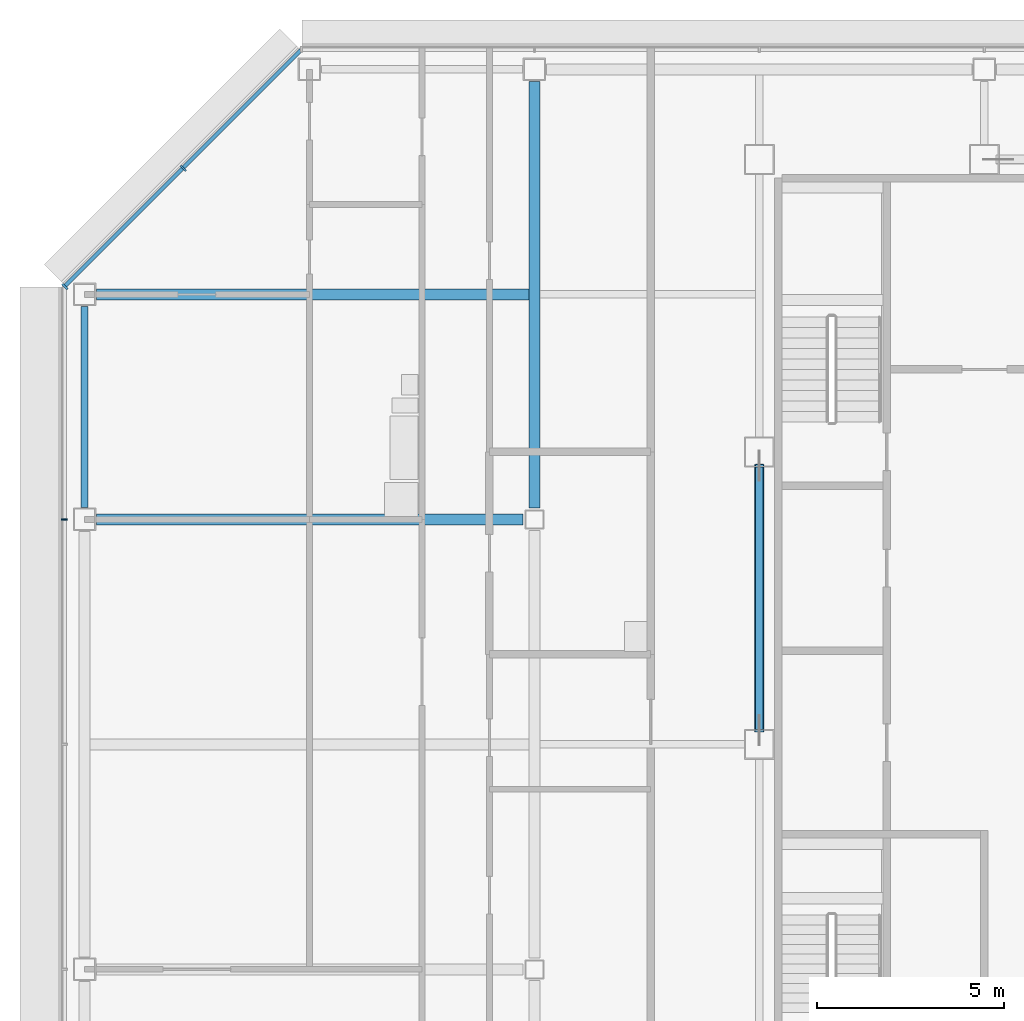
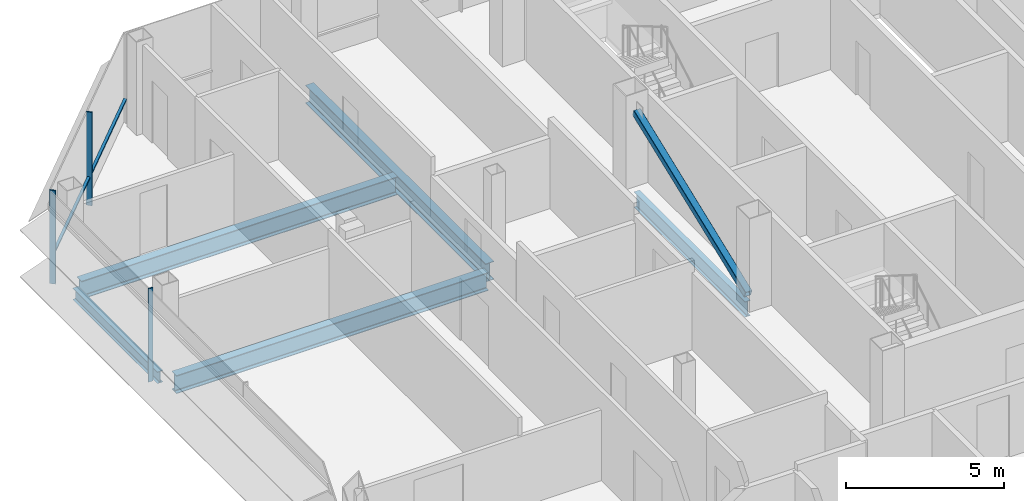
# One storey, part 12 of 27: 5 beams, 5 members, 2 elements without a shape of their own.
"""IFC4 building model written with IfcOpenShell, lengths in metres."""

import ifcopenshell
import ifcopenshell.guid

model = None  # the IFC model being written
_history = None  # IfcOwnerHistory: only IFC2X3 demands one
_inside = {}  # id of a spatial element -> (the spatial element, [elements in it])
_under = {}  # id of a project, library or spatial element -> (it, [spatial elements below it])
_declared = {}  # id of a project -> (the project, [libraries it declares])
_typed = {}  # id of a type object -> (the type object, [elements of that type])
_made_of = {}  # id of a material, layer set ... -> (it, [elements and type objects made of it])


def new_model(schema):
    """Start an empty IFC model of exactly this schema.

    Asked for "IFC4X3", IfcOpenShell would pick the latest addendum, in which some entities
    have other attributes; the version numbers below select the first issue.
    IFC2X3 requires an IfcOwnerHistory on every rooted entity: one is made here for all.
    """
    global model, _history
    if schema == "IFC4X3":
        model = ifcopenshell.file(schema_version=(4, 3, 0, 0))
    else:
        model = ifcopenshell.file(schema=schema)
    _inside.clear()
    _under.clear()
    _declared.clear()
    _typed.clear()
    _made_of.clear()
    _history = None
    if model.schema == "IFC2X3":
        org = make("IfcOrganization", Name="unknown")
        user = make(
            "IfcPersonAndOrganization",
            ThePerson=make("IfcPerson", FamilyName="unknown"),
            TheOrganization=org,
        )
        app = make(
            "IfcApplication",
            ApplicationDeveloper=org,
            Version="unknown",
            ApplicationFullName="unknown",
            ApplicationIdentifier="unknown",
        )
        _history = make(
            "IfcOwnerHistory",
            OwningUser=user,
            OwningApplication=app,
            ChangeAction="ADDED",
            CreationDate=0,
        )
    return model


def make(cls, **values):
    """One entity of the class cls with the attributes given. An attribute that is None is left unset."""
    return model.create_entity(
        cls, **{name: value for name, value in values.items() if value is not None}
    )


def rooted(cls, **values):
    """An entity with a GlobalId (a new one), such as an element, a storey or a relation."""
    return make(cls, GlobalId=ifcopenshell.guid.new(), OwnerHistory=_history, **values)


def si_unit(unit_type, name, prefix=None):
    """IfcSIUnit, for example si_unit("LENGTHUNIT", "METRE", prefix="MILLI")."""
    return make("IfcSIUnit", UnitType=unit_type, Prefix=prefix, Name=name)


def assignment(units):
    """IfcUnitAssignment: the units of a project."""
    return None if units is None else make("IfcUnitAssignment", Units=units)


def point(xyz):
    """IfcCartesianPoint."""
    return None if xyz is None else make("IfcCartesianPoint", Coordinates=xyz)


def direction(xyz):
    """IfcDirection."""
    return None if xyz is None else make("IfcDirection", DirectionRatios=xyz)


def frame(location, z_axis=None, x_axis=None):
    """IfcAxis2Placement3D, a coordinate frame: its origin and axes. An axis left out is left unset."""
    return make(
        "IfcAxis2Placement3D",
        Location=point(location),
        Axis=direction(z_axis),
        RefDirection=direction(x_axis),
    )


def frame_2d(location, x_axis=None):
    """IfcAxis2Placement2D, a coordinate frame in the plane: its origin and x axis."""
    return make(
        "IfcAxis2Placement2D", Location=point(location), RefDirection=direction(x_axis)
    )


def origin():
    """The frame at (0, 0, 0) with its axes left unset."""
    return frame((0.0, 0.0, 0.0))


def origin_2d():
    """The frame at (0, 0) in the plane with its x axis left unset."""
    return frame_2d((0.0, 0.0))


def place(relative_to, where):
    """IfcLocalPlacement: puts the frame where relative to a parent placement (None: the world)."""
    return make(
        "IfcLocalPlacement", PlacementRelTo=relative_to, RelativePlacement=where
    )


def context(
    kind, dimensions, precision=None, world=None, true_north=None, identifier=None
):
    """IfcGeometricRepresentationContext, for example the 3D "Model" context."""
    return make(
        "IfcGeometricRepresentationContext",
        ContextIdentifier=identifier,
        ContextType=kind,
        CoordinateSpaceDimension=dimensions,
        Precision=precision,
        WorldCoordinateSystem=world,
        TrueNorth=true_north,
    )


def subcontext(parent, identifier, kind, view, scale=None):
    """IfcGeometricRepresentationSubContext, for example "Body" below "Model"."""
    return make(
        "IfcGeometricRepresentationSubContext",
        ContextIdentifier=identifier,
        ContextType=kind,
        ParentContext=parent,
        TargetScale=scale,
        TargetView=view,
    )


def project(units=None, contexts=None):
    """IfcProject with its units and contexts."""
    return rooted(
        "IfcProject",
        Name="project",
        RepresentationContexts=contexts,
        UnitsInContext=assignment(units),
    )


def spatial(cls, under=None, at=None, **own):
    """A site, building, storey or space (cls), placed at a placement, below another one or the project."""
    s = rooted(cls, ObjectPlacement=at, **own)
    if under is not None:
        _under.setdefault(under.id(), (under, []))[1].append(s)
    return s


def profile(cls, at=None, kind="AREA", **sizes):
    """A parametric profile (cls). Its sizes go by their IFC names, for example OverallWidth=200.0."""
    return make(cls, ProfileType=kind, Position=at, **sizes)


def rectangle(**sizes):
    """IfcRectangleProfileDef."""
    return profile("IfcRectangleProfileDef", **sizes)


def hollow_rectangle(**sizes):
    """IfcRectangleHollowProfileDef."""
    return profile("IfcRectangleHollowProfileDef", **sizes)


def i_section(**sizes):
    """IfcIShapeProfileDef."""
    return profile("IfcIShapeProfileDef", **sizes)


def extrude(swept, where, along, depth):
    """IfcExtrudedAreaSolid: the profile swept, set in the frame where, extruded along a direction by depth."""
    return make(
        "IfcExtrudedAreaSolid",
        SweptArea=swept,
        Position=where,
        ExtrudedDirection=direction(along),
        Depth=depth,
    )


def shape(context_of_items, identifier, shape_type, items):
    """IfcShapeRepresentation: the items that make up one representation, for example the "Body"."""
    return make(
        "IfcShapeRepresentation",
        ContextOfItems=context_of_items,
        RepresentationIdentifier=identifier,
        RepresentationType=shape_type,
        Items=items,
    )


def material(Name=None, Category=None):
    """IfcMaterial."""
    return make("IfcMaterial", Name=Name, Category=Category)


def material_profile(
    of_material, cross_section, Name=None, Category=None, Priority=None
):
    """IfcMaterialProfile: a cross section and its material."""
    return make(
        "IfcMaterialProfile",
        Name=Name,
        Material=of_material,
        Profile=cross_section,
        Priority=Priority,
        Category=Category,
    )


def profile_set(profiles, Name=None, composite=None):
    """IfcMaterialProfileSet."""
    return make(
        "IfcMaterialProfileSet",
        Name=Name,
        MaterialProfiles=profiles,
        CompositeProfile=composite,
    )


def made_of(thing, what):
    """Note that an element or type object is made of a material, layer set ...; save() writes the relation."""
    if what is not None:
        _made_of.setdefault(what.id(), (what, []))[1].append(thing)
    return thing


def type_object(cls, material=None, **own):
    """A type object (cls), such as IfcWallType, which elements share."""
    return made_of(rooted(cls, **own), material)


def element(
    cls,
    number,
    at=None,
    inside=None,
    cuts=None,
    type_object=None,
    material=None,
    context=None,
    identifier="Body",
    shape_type=None,
    held_by="IfcProductDefinitionShape",
    body=None,
    shapes=None,
    **own,
):
    """One element of the class cls, such as IfcWall. Its Tag is "e" and its number.

    at: its placement. inside: the storey or other place that contains it. cuts: it is an
    opening in that element (IfcRelVoidsElement). A single representation is given by context,
    identifier, shape_type and body (its items); several are given by shapes. held_by: the class
    of the entity that holds the representations. save() writes the other relations.
    """
    e = rooted(cls, Tag="e%d" % number, ObjectPlacement=at, **own)
    if body is not None:
        shapes = [shape(context, identifier, shape_type, body)]
    if shapes is not None:
        e.Representation = make(held_by, Representations=shapes)
    if inside is not None:
        _inside.setdefault(inside.id(), (inside, []))[1].append(e)
    if cuts is not None:
        rooted(
            "IfcRelVoidsElement", RelatingBuildingElement=cuts, RelatedOpeningElement=e
        )
    if type_object is not None:
        _typed.setdefault(type_object.id(), (type_object, []))[1].append(e)
    return made_of(e, material)


def aggregate(whole, parts):
    """IfcRelAggregates: a whole, such as a stair, and the parts it consists of."""
    return rooted("IfcRelAggregates", RelatingObject=whole, RelatedObjects=parts)


def save(model, path):
    """Write the relations noted so far, then the file.

    IfcRelAggregates (storeys below a building ...), IfcRelContainedInSpatialStructure (elements
    in a storey), IfcRelDefinesByType, IfcRelAssociatesMaterial and IfcRelDeclares: one each for
    every whole, place, type object, material and project.
    """
    for whole, parts in _under.values():
        aggregate(whole, parts)
    for where, things in _inside.values():
        rooted(
            "IfcRelContainedInSpatialStructure",
            RelatedElements=things,
            RelatingStructure=where,
        )
    for kind, things in _typed.values():
        rooted("IfcRelDefinesByType", RelatedObjects=things, RelatingType=kind)
    for what, things in _made_of.values():
        rooted("IfcRelAssociatesMaterial", RelatedObjects=things, RelatingMaterial=what)
    for by, libraries in _declared.values():
        rooted("IfcRelDeclares", RelatingContext=by, RelatedDefinitions=libraries)
    model.write(path)


model = new_model("IFC4")

# Units and contexts
model_context = context("Model", 3, precision=1e-05, world=origin(), true_north=direction((0.0, 1.0)))
body_context = subcontext(model_context, "Body", "Model", "MODEL_VIEW")
ifc_project = project(units=[si_unit("LENGTHUNIT", "METRE"), si_unit("AREAUNIT", "SQUARE_METRE"), si_unit("VOLUMEUNIT", "CUBIC_METRE"), si_unit("PLANEANGLEUNIT", "RADIAN"), si_unit("MASSUNIT", "GRAM", prefix="KILO")], contexts=[model_context])

# Site, building, storey
site_placement = place(None, origin())
site = spatial("IfcSite", under=ifc_project, at=site_placement, CompositionType="ELEMENT")
building_placement = place(site_placement, origin())
building = spatial("IfcBuilding", under=site, at=building_placement, Name="Sorahane Residences", CompositionType="ELEMENT")
storey_placement = place(building_placement, frame((0.0, 0.0, 246.800048828125)))
storey = spatial("IfcBuildingStorey", under=building, at=storey_placement, Name="L58", CompositionType="ELEMENT", Elevation=246.800048828125)

# Member
ifc_material_1 = material(Name="Steel Q355B", Category="steel")
ifc_material_profile_1 = material_profile(ifc_material_1, hollow_rectangle(XDim=0.25, YDim=0.25, WallThickness=0.013916015625, InnerFilletRadius=0.007080078125, OuterFilletRadius=0.02099609375, at=origin_2d()), Name="RHS 250x250x14")
ifc_profile_set_1 = profile_set([ifc_material_profile_1], Name="Steel Q355B")
member_type_1 = type_object("IfcMemberType", Name="Core brace RHS 250x250x14 Q355B", PredefinedType="BRACE", material=ifc_profile_set_1)
member_1_placement = place(storey_placement, frame((6.0, 30.372802734375, 0.114501953125), z_axis=(0.0, 0.932112994653, 0.362167592697), x_axis=(-1.0, 0.0, 0.0)))
element("IfcMember", 1, at=member_1_placement, inside=storey, type_object=member_type_1, Name="Core brace L58 x6-2", PredefinedType="BRACE", context=body_context, shape_type="SweptSolid", body=[
    extrude(hollow_rectangle(XDim=0.25, YDim=0.25, WallThickness=0.013916015625, InnerFilletRadius=0.007080078125, OuterFilletRadius=0.02099609375, at=origin_2d()), origin(), (0.0, 0.0, 1.0), 7.568115234375),
])

# Curtain wall, member
ifc_material_2 = material(Name="Dark low-e glass and black anodised aluminium", Category="aluminium")
curtain_wall_type_1 = type_object("IfcCurtainWallType", Name="Curtain wall CW-1 Typical unitised wall", PredefinedType="NOTDEFINED", material=ifc_material_2)
curtain_wall_1_placement = place(storey_placement, origin())
curtain_wall_1 = element("IfcCurtainWall", 2, at=curtain_wall_1_placement, inside=storey, type_object=curtain_wall_type_1, Name="CW-1 curtain wall L58 W1", PredefinedType="NOTDEFINED")
ifc_material_3 = material(Name="Black anodised aluminium", Category="aluminium")
ifc_material_profile_2 = material_profile(ifc_material_3, rectangle(XDim=0.159912109375, YDim=0.050048828125, at=origin_2d()), Name="Curtain wall mullion CW-1 black anodised aluminium 50x160")
ifc_profile_set_2 = profile_set([ifc_material_profile_2], Name="Black anodised aluminium")
member_type_2 = type_object("IfcMemberType", Name="Curtain wall mullion CW-1 black anodised aluminium 50x160", PredefinedType="MULLION", material=ifc_profile_set_2)
member_2_placement = place(storey_placement, frame((-12.5400390625, 36.0, -0.179931640625), z_axis=(0.0, 0.0, 1.0), x_axis=(-1.0, 0.0, 0.0)))
member_2 = element("IfcMember", 3, at=member_2_placement, type_object=member_type_2, Name="CW-1 mullion L58 W1.2", PredefinedType="MULLION", context=body_context, shape_type="SweptSolid", body=[
    extrude(rectangle(XDim=0.159912109375, YDim=0.050048828125, at=origin_2d()), origin(), (0.0, 0.0, 1.0), 3.599853515625),
])
aggregate(curtain_wall_1, [member_2])

# Curtain wall, members
ifc_material_4 = material(Name="Dark low-e glass and black anodised aluminium", Category="aluminium")
curtain_wall_type_2 = type_object("IfcCurtainWallType", Name="Curtain wall CW-2 Chamfer unitised wall", PredefinedType="NOTDEFINED", material=ifc_material_4)
curtain_wall_2_placement = place(storey_placement, origin())
curtain_wall_2 = element("IfcCurtainWall", 4, at=curtain_wall_2_placement, inside=storey, type_object=curtain_wall_type_2, Name="CW-2 curtain wall L58 NW1", PredefinedType="NOTDEFINED")
ifc_material_5 = material(Name="Black anodised aluminium", Category="aluminium")
ifc_material_profile_3 = material_profile(ifc_material_5, rectangle(XDim=0.199951171875, YDim=0.050048828125, at=origin_2d()), Name="Curtain wall mullion CW-2 black anodised aluminium 50x200")
ifc_profile_set_3 = profile_set([ifc_material_profile_3], Name="Black anodised aluminium")
member_type_3 = type_object("IfcMemberType", Name="Curtain wall mullion CW-2 black anodised aluminium 50x200", PredefinedType="MULLION", material=ifc_profile_set_3)
member_3_placement = place(storey_placement, frame((-9.36767578125, 45.36767578125, -0.179931640625), z_axis=(0.0, 0.0, 1.0), x_axis=(-0.707106781187, 0.707106781187, 0.0)))
member_3 = element("IfcMember", 5, at=member_3_placement, type_object=member_type_3, Name="CW-2 mullion L58 NW1.2", PredefinedType="MULLION", context=body_context, shape_type="SweptSolid", body=[
    extrude(rectangle(XDim=0.199951171875, YDim=0.050048828125, at=origin_2d()), origin(), (0.0, 0.0, 1.0), 3.599853515625),
])
member_4_placement = place(storey_placement, frame((-12.525634765625, 42.209716796875, -0.179931640625), z_axis=(0.0, 0.0, 1.0), x_axis=(-0.707106781187, 0.707106781187, 0.0)))
member_4 = element("IfcMember", 6, at=member_4_placement, type_object=member_type_3, Name="CW-2 mullion L58 NW1.3", PredefinedType="MULLION", context=body_context, shape_type="SweptSolid", body=[
    extrude(rectangle(XDim=0.199951171875, YDim=0.050048828125, at=origin_2d()), origin(), (0.0, 0.0, 1.0), 3.599853515625),
])
ifc_material_6 = material(Name="Black anodised aluminium", Category="aluminium")
ifc_material_profile_4 = material_profile(ifc_material_6, rectangle(XDim=0.10009765625, YDim=0.06005859375, at=origin_2d()), Name="Curtain wall transom CW-2 black anodised aluminium 60x100")
ifc_profile_set_4 = profile_set([ifc_material_profile_4], Name="Black anodised aluminium")
member_type_4 = type_object("IfcMemberType", Name="Curtain wall transom CW-2 black anodised aluminium 60x100", PredefinedType="USERDEFINED", material=ifc_profile_set_4)
member_5_placement = place(storey_placement, frame((-6.234375, 48.51513671875, 0.89990234375), z_axis=(-0.707106781187, -0.707106781187, 0.0), x_axis=(0.707106781187, -0.707106781187, 0.0)))
member_5 = element("IfcMember", 7, at=member_5_placement, type_object=member_type_4, Name="CW-2 transom L58 NW1", ObjectType="TRANSOM", PredefinedType="USERDEFINED", context=body_context, shape_type="SweptSolid", body=[
    extrude(rectangle(XDim=0.10009765625, YDim=0.06005859375, at=origin_2d()), origin(), (0.0, 0.0, 1.0), 8.88232421875),
])
aggregate(curtain_wall_2, [member_3, member_4, member_5])

# Beams
ifc_material_7 = material(Name="Steel Q355B", Category="steel")
ifc_material_profile_5 = material_profile(ifc_material_7, i_section(OverallWidth=0.199951171875, OverallDepth=0.449951171875, WebThickness=0.009033203125, FlangeThickness=0.013916015625, FilletRadius=0.02001953125, at=origin_2d()), Name="HN 450x200x9x14")
ifc_profile_set_5 = profile_set([ifc_material_profile_5], Name="Steel Q355B")
beam_type_1 = type_object("IfcBeamType", Name="Steel floor beam HN 450x200x9x14 Q355B", PredefinedType="BEAM", material=ifc_profile_set_5)
beam_1_placement = place(storey_placement, frame((-12.0, 36.324951171875, -0.405029296875), z_axis=(0.0, 1.0, 0.0), x_axis=(-1.0, 0.0, 0.0)))
element("IfcBeam", 8, at=beam_1_placement, inside=storey, type_object=beam_type_1, Name="Beam L58 023", PredefinedType="BEAM", context=body_context, shape_type="SweptSolid", body=[
    extrude(i_section(OverallWidth=0.199951171875, OverallDepth=0.449951171875, WebThickness=0.009033203125, FlangeThickness=0.013916015625, FilletRadius=0.02001953125, at=origin_2d()), origin(), (0.0, 0.0, 1.0), 5.35009765625),
])
ifc_material_8 = material(Name="Steel Q355B", Category="steel")
ifc_material_profile_6 = material_profile(ifc_material_8, i_section(OverallWidth=0.199951171875, OverallDepth=0.60009765625, WebThickness=0.010986328125, FlangeThickness=0.01708984375, FilletRadius=0.02392578125, at=origin_2d()), Name="HN 600x200x11x17")
ifc_profile_set_6 = profile_set([ifc_material_profile_6], Name="Steel Q355B")
beam_type_2 = type_object("IfcBeamType", Name="Steel floor beam HN 600x200x11x17 Q355B", PredefinedType="BEAM", material=ifc_profile_set_6)
beam_2_placement = place(storey_placement, frame((6.0, 30.39990234375, -0.47998046875), z_axis=(0.0, 1.0, 0.0), x_axis=(-1.0, 0.0, 0.0)))
element("IfcBeam", 9, at=beam_2_placement, inside=storey, type_object=beam_type_2, Name="Beam L58 031", PredefinedType="BEAM", context=body_context, shape_type="SweptSolid", body=[
    extrude(i_section(OverallWidth=0.199951171875, OverallDepth=0.60009765625, WebThickness=0.010986328125, FlangeThickness=0.01708984375, FilletRadius=0.02392578125, at=origin_2d()), origin(), (0.0, 0.0, 1.0), 7.0),
])
ifc_material_9 = material(Name="Steel Q355B", Category="steel")
ifc_material_profile_7 = material_profile(ifc_material_9, i_section(OverallWidth=0.300048828125, OverallDepth=0.699951171875, WebThickness=0.012939453125, FlangeThickness=0.02392578125, FilletRadius=0.028076171875, at=origin_2d()), Name="HN 700x300x13x24")
ifc_profile_set_7 = profile_set([ifc_material_profile_7], Name="Steel Q355B")
beam_type_3 = type_object("IfcBeamType", Name="Steel floor beam HN 700x300x13x24 Q355B", PredefinedType="BEAM", material=ifc_profile_set_7)
for number, where, z_axis, x_axis, name in (
    (10, (-11.675048828125, 36.0, -0.530029296875), (1.0, 0.0, 0.0), (0.0, 1.0, 0.0), "Beam L58 013"),
    (11, (0.0, 36.300048828125, -0.530029296875), (0.0, 1.0, 0.0), (-1.0, 0.0, 0.0), "Beam L58 027"),
):
    element("IfcBeam", number, at=place(storey_placement, frame(where, z_axis=z_axis, x_axis=x_axis)), inside=storey, type_object=beam_type_3, Name=name, PredefinedType="BEAM", context=body_context, shape_type="SweptSolid", body=[
        extrude(i_section(OverallWidth=0.300048828125, OverallDepth=0.699951171875, WebThickness=0.012939453125, FlangeThickness=0.02392578125, FilletRadius=0.028076171875, at=origin_2d()), origin(), (0.0, 0.0, 1.0), 11.375),
    ])
beam_3_placement = place(storey_placement, frame((-11.675048828125, 42.0, -0.530029296875), z_axis=(1.0, 0.0, 0.0), x_axis=(0.0, 1.0, 0.0)))
element("IfcBeam", 12, at=beam_3_placement, inside=storey, type_object=beam_type_3, Name="Beam L58 089", PredefinedType="BEAM", context=body_context, shape_type="SweptSolid", body=[
    extrude(i_section(OverallWidth=0.300048828125, OverallDepth=0.699951171875, WebThickness=0.012939453125, FlangeThickness=0.02392578125, FilletRadius=0.028076171875, at=origin_2d()), origin(), (0.0, 0.0, 1.0), 11.525146484375),
])

save(model, "model.ifc")
